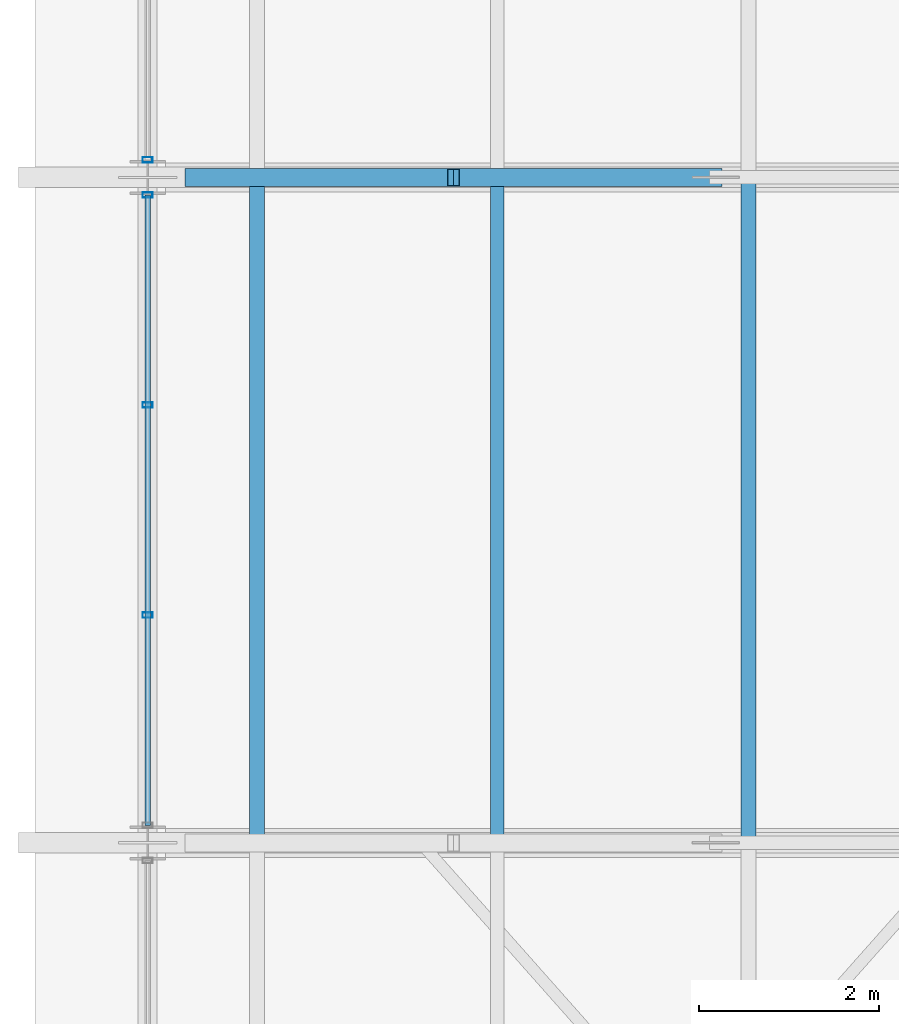
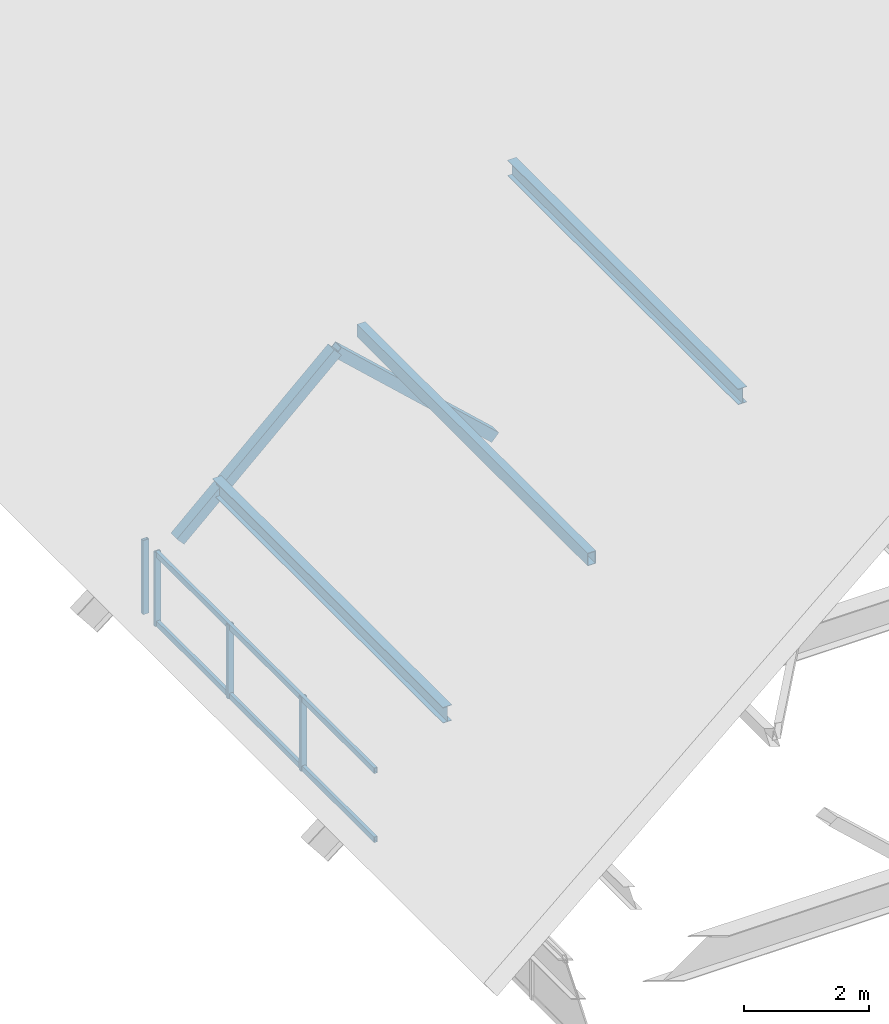
# One storey, part 7 of 44: 11 members, 2 elements without a shape of their own.
"""IFC4 building model written with IfcOpenShell, lengths in metres."""

from ifc_helpers import new_model, si_unit, direction, frame, origin, origin_2d, place, context, subcontext, project, spatial, hollow_rectangle, i_section, extrude, material, material_profile, profile_set, type_object, element, aggregate, save


model = new_model("IFC4")

# Units and contexts
model_context = context("Model", 3, precision=1e-05, world=origin(), true_north=direction((0.0, 1.0)))
body_context = subcontext(model_context, "Body", "Model", "MODEL_VIEW")
ifc_project = project(units=[si_unit("LENGTHUNIT", "METRE"), si_unit("AREAUNIT", "SQUARE_METRE"), si_unit("VOLUMEUNIT", "CUBIC_METRE"), si_unit("PLANEANGLEUNIT", "RADIAN"), si_unit("MASSUNIT", "GRAM", prefix="KILO")], contexts=[model_context])

# Site, building, storey
site_placement = place(None, origin())
site = spatial("IfcSite", under=ifc_project, at=site_placement, CompositionType="ELEMENT")
building_placement = place(site_placement, origin())
building = spatial("IfcBuilding", under=site, at=building_placement, Name="Cimatlan Art Gallery", CompositionType="ELEMENT")
storey_placement = place(building_placement, frame((0.0, 0.0, 26.39990234375)))
storey = spatial("IfcBuildingStorey", under=building, at=storey_placement, Name="Roof", CompositionType="ELEMENT", Elevation=26.39990234375)

# Curtain wall, members
ifc_material_1 = material(Name="Anodised bronze unitised curtain wall")
curtain_wall_type = type_object("IfcCurtainWallType", Name="CW-V-07010X01450-B3", PredefinedType="NOTDEFINED", material=ifc_material_1)
curtain_wall_1_placement = place(storey_placement, origin())
curtain_wall_1 = element("IfcCurtainWall", 1, at=curtain_wall_1_placement, inside=storey, type_object=curtain_wall_type, Name="CW-CRW-W-04", PredefinedType="NOTDEFINED")
ifc_material_2 = material(Name="Anodised bronze aluminium 6063-T6", Category="aluminium")
ifc_material_profile_1 = material_profile(ifc_material_2, hollow_rectangle(XDim=0.06005859375, YDim=0.110107421875, WallThickness=0.00341796875, at=origin_2d()), Name="ALU60X110X3")
ifc_profile_set_1 = profile_set([ifc_material_profile_1], Name="Anodised bronze aluminium 6063-T6")
member_type_1 = type_object("IfcMemberType", Name="CW-MUL-110", PredefinedType="MULLION", material=ifc_profile_set_1)
member_1_placement = place(storey_placement, frame((74.89990234375, 33.831787109375, 0.0), z_axis=(0.0, 0.0, 1.0), x_axis=(0.0, 1.0, 0.0)))
member_1 = element("IfcMember", 2, at=member_1_placement, type_object=member_type_1, Name="CW-CRW-W-04-M2", PredefinedType="MULLION", context=body_context, shape_type="SweptSolid", body=[
    extrude(hollow_rectangle(XDim=0.06005859375, YDim=0.110107421875, WallThickness=0.00341796875, at=origin_2d()), origin(), (0.0, 0.0, 1.0), 1.4501953125),
])
member_2_placement = place(storey_placement, frame((74.89990234375, 36.168212890625, 0.0), z_axis=(0.0, 0.0, 1.0), x_axis=(0.0, 1.0, 0.0)))
member_2 = element("IfcMember", 3, at=member_2_placement, type_object=member_type_1, Name="CW-CRW-W-04-M3", PredefinedType="MULLION", context=body_context, shape_type="SweptSolid", body=[
    extrude(hollow_rectangle(XDim=0.06005859375, YDim=0.110107421875, WallThickness=0.00341796875, at=origin_2d()), origin(), (0.0, 0.0, 1.0), 1.4501953125),
])
member_3_placement = place(storey_placement, frame((74.89990234375, 38.5048828125, 0.0), z_axis=(0.0, 0.0, 1.0), x_axis=(0.0, 1.0, 0.0)))
member_3 = element("IfcMember", 4, at=member_3_placement, type_object=member_type_1, Name="CW-CRW-W-04-M4", PredefinedType="MULLION", context=body_context, shape_type="SweptSolid", body=[
    extrude(hollow_rectangle(XDim=0.06005859375, YDim=0.110107421875, WallThickness=0.00341796875, at=origin_2d()), origin(), (0.0, 0.0, 1.0), 1.4501953125),
])

# Curtain wall, member
curtain_wall_2_placement = place(storey_placement, origin())
curtain_wall_2 = element("IfcCurtainWall", 5, at=curtain_wall_2_placement, inside=storey, type_object=curtain_wall_type, Name="CW-CRW-W-05", PredefinedType="NOTDEFINED")
member_4_placement = place(storey_placement, frame((74.89990234375, 38.89501953125, 0.0), z_axis=(0.0, 0.0, 1.0), x_axis=(0.0, 1.0, 0.0)))
member_4 = element("IfcMember", 6, at=member_4_placement, type_object=member_type_1, Name="CW-CRW-W-05-M1", PredefinedType="MULLION", context=body_context, shape_type="SweptSolid", body=[
    extrude(hollow_rectangle(XDim=0.06005859375, YDim=0.110107421875, WallThickness=0.00341796875, at=origin_2d()), origin(), (0.0, 0.0, 1.0), 1.4501953125),
])
aggregate(curtain_wall_2, [member_4])

# Member
ifc_material_profile_2 = material_profile(ifc_material_2, hollow_rectangle(XDim=0.06005859375, YDim=0.110107421875, WallThickness=0.00341796875, at=origin_2d()), Name="ALU60X110X3")
ifc_profile_set_2 = profile_set([ifc_material_profile_2], Name="Anodised bronze aluminium 6063-T6")
member_type_2 = type_object("IfcMemberType", Name="CW-TRN-110", PredefinedType="USERDEFINED", material=ifc_profile_set_2)
member_5_placement = place(storey_placement, frame((74.89990234375, 31.4951171875, 0.050048828125), z_axis=(0.0, 1.0, 0.0), x_axis=(-1.0, 0.0, 0.0)))
member_5 = element("IfcMember", 7, at=member_5_placement, type_object=member_type_2, Name="CW-CRW-W-04-T1", ObjectType="TRANSOM", PredefinedType="USERDEFINED", context=body_context, shape_type="SweptSolid", body=[
    extrude(hollow_rectangle(XDim=0.06005859375, YDim=0.110107421875, WallThickness=0.00341796875, at=origin_2d()), origin(), (0.0, 0.0, 1.0), 7.009765625),
])

member_6_placement = place(storey_placement, frame((74.89990234375, 31.4951171875, 1.400146484375), z_axis=(0.0, 1.0, 0.0), x_axis=(-1.0, 0.0, 0.0)))
member_6 = element("IfcMember", 8, at=member_6_placement, type_object=member_type_2, Name="CW-CRW-W-04-T2", ObjectType="TRANSOM", PredefinedType="USERDEFINED", context=body_context, shape_type="SweptSolid", body=[
    extrude(hollow_rectangle(XDim=0.06005859375, YDim=0.110107421875, WallThickness=0.00341796875, at=origin_2d()), origin(), (0.0, 0.0, 1.0), 7.009765625),
])

aggregate(curtain_wall_1, [member_1, member_2, member_3, member_5, member_6])

# Members
ifc_material_3 = material(Name="Steel ASTM A500 Grade C", Category="steel")
ifc_material_profile_3 = material_profile(ifc_material_3, hollow_rectangle(XDim=0.14990234375, YDim=0.25, WallThickness=0.010009765625, at=origin_2d()), Name="HSS250X150X10")
ifc_profile_set_3 = profile_set([ifc_material_profile_3], Name="Steel ASTM A500 Grade C")
member_type_3 = type_object("IfcMemberType", Name="MBR-PUR-C250", PredefinedType="PURLIN", material=ifc_profile_set_3)
member_7_placement = place(storey_placement, frame((78.7880859375, 31.300048828125, 4.31201171875), z_axis=(0.0, 1.0, 0.0), x_axis=(-1.0, 0.0, 0.0)))
element("IfcMember", 9, at=member_7_placement, inside=storey, type_object=member_type_3, Name="PUR-V1-B2-W3", PredefinedType="PURLIN", context=body_context, shape_type="SweptSolid", body=[
    extrude(hollow_rectangle(XDim=0.14990234375, YDim=0.25, WallThickness=0.010009765625, at=origin_2d()), origin(), (0.0, 0.0, 1.0), 7.39990234375),
])
ifc_material_4 = material(Name="Steel ASTM A992 Grade 50", Category="steel")
ifc_material_profile_4 = material_profile(ifc_material_4, i_section(OverallWidth=0.1650390625, OverallDepth=0.31005859375, WebThickness=0.005859375, FlangeThickness=0.009765625, at=origin_2d()), Name="W12X26")
ifc_profile_set_4 = profile_set([ifc_material_profile_4], Name="Steel ASTM A992 Grade 50")
member_type_4 = type_object("IfcMemberType", Name="MBR-PUR-W12", PredefinedType="PURLIN", material=ifc_profile_set_4)
for number, where, z_axis, x_axis, name in (
    (10, (81.58251953125, 31.300048828125, 6.52001953125), (0.0, 1.0, 0.0), (-1.0, 0.0, 0.0), "PUR-V1-B2-W2"),
    (11, (76.114990234375, 31.300048828125, 2.2001953125), (0.0, 1.0, 0.0), (-1.0, 0.0, 0.0), "PUR-V1-B2-W4"),
):
    element("IfcMember", number, at=place(storey_placement, frame(where, z_axis=z_axis, x_axis=x_axis)), inside=storey, type_object=member_type_4, Name=name, PredefinedType="PURLIN", context=body_context, shape_type="SweptSolid", body=[
        extrude(i_section(OverallWidth=0.1650390625, OverallDepth=0.31005859375, WebThickness=0.005859375, FlangeThickness=0.009765625, at=origin_2d()), origin(), (0.0, 0.0, 1.0), 7.39990234375),
    ])
ifc_material_profile_5 = material_profile(ifc_material_3, hollow_rectangle(XDim=0.199951171875, YDim=0.199951171875, WallThickness=0.010009765625, at=origin_2d()), Name="HSS200X200X10")
ifc_profile_set_5 = profile_set([ifc_material_profile_5], Name="Steel ASTM A500 Grade C")
member_type_5 = type_object("IfcMemberType", Name="MBR-TRS-DIAG-1", PredefinedType="BRACE", material=ifc_profile_set_5)
for number, where, z_axis, x_axis, name in (
    (12, (75.385986328125, 38.699951171875, 1.400146484375), (0.735270574228, 0.0, 0.677773695768), (0.0, 1.0, 0.0), "TRS-03-DW-1"),
    (13, (78.302001953125, 38.699951171875, 4.088134765625), (0.735270574228, 0.0, -0.677773695768), (0.0, 1.0, 0.0), "TRS-03-DW-2"),
):
    element("IfcMember", number, at=place(storey_placement, frame(where, z_axis=z_axis, x_axis=x_axis)), inside=storey, type_object=member_type_5, Name=name, PredefinedType="BRACE", context=body_context, shape_type="SweptSolid", body=[
        extrude(hollow_rectangle(XDim=0.199951171875, YDim=0.199951171875, WallThickness=0.010009765625, at=origin_2d()), origin(), (0.0, 0.0, 1.0), 3.9658203125),
    ])

save(model, "model.ifc")
